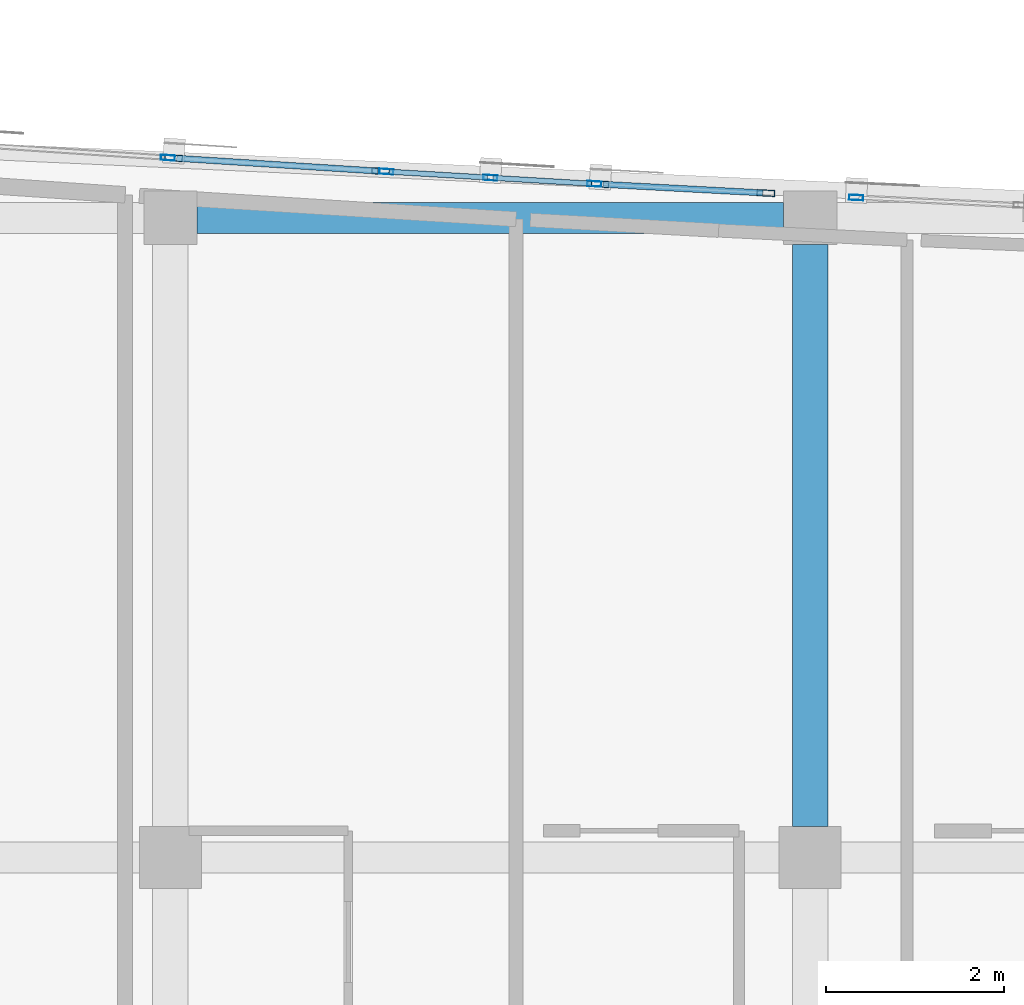
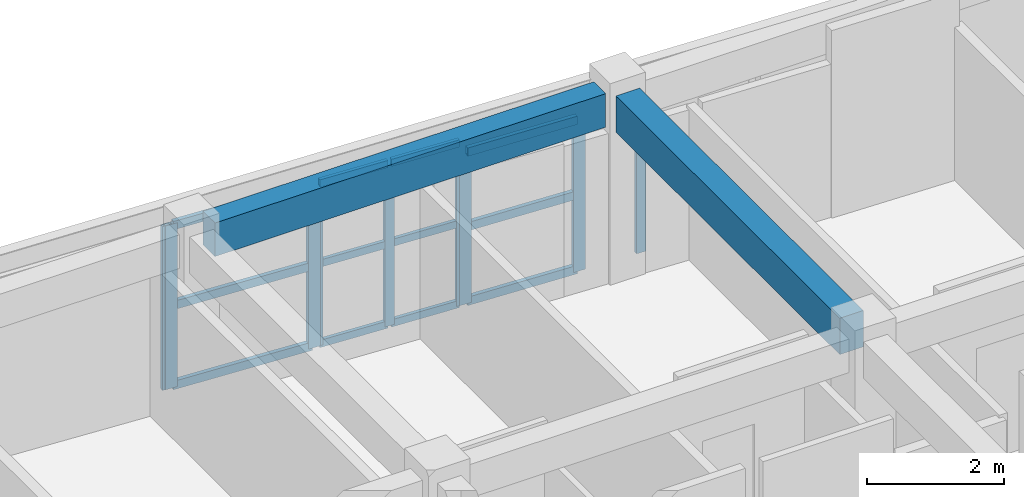
# One storey, part 28 of 48: 21 members, 2 beams, 5 elements without a shape of their own.
"""IFC4 building model written with IfcOpenShell, lengths in metres."""

from ifc_helpers import new_model, si_unit, direction, frame, origin, origin_2d, place, context, subcontext, project, spatial, rectangle, hollow_rectangle, extrude, material, layer, layer_set, material_profile, profile_set, type_object, element, aggregate, save


model = new_model("IFC4")

# Units and contexts
model_context = context("Model", 3, precision=1e-05, world=origin(), true_north=direction((0.0, 1.0)))
body_context = subcontext(model_context, "Body", "Model", "MODEL_VIEW")
ifc_project = project(units=[si_unit("LENGTHUNIT", "METRE"), si_unit("AREAUNIT", "SQUARE_METRE"), si_unit("VOLUMEUNIT", "CUBIC_METRE"), si_unit("PLANEANGLEUNIT", "RADIAN"), si_unit("MASSUNIT", "GRAM", prefix="KILO")], contexts=[model_context])

# Site, building, storey
site_placement = place(None, origin())
site = spatial("IfcSite", under=ifc_project, at=site_placement, CompositionType="ELEMENT")
building_placement = place(site_placement, origin())
building = spatial("IfcBuilding", under=site, at=building_placement, Name="Carrowvane Square Congress Hotel", CompositionType="ELEMENT")
storey_placement = place(building_placement, frame((0.0, 0.0, 26.39990234375)))
storey = spatial("IfcBuildingStorey", under=building, at=storey_placement, Name="L06", CompositionType="ELEMENT", Elevation=26.39990234375)

# Beams
ifc_material_1 = material(Name="Concrete C35/45", Category="concrete")
ifc_material_profile_1 = material_profile(ifc_material_1, rectangle(XDim=0.35009765625, YDim=0.60009765625, at=origin_2d()), Name="RC 350x600")
ifc_profile_set_1 = profile_set([ifc_material_profile_1], Name="Concrete C35/45")
beam_type_1 = type_object("IfcBeamType", Name="BM-RC-350x600", PredefinedType="BEAM", material=ifc_profile_set_1)
beam_1_placement = place(storey_placement, frame((148.699951171875, 113.39990234375, 3.050048828125), z_axis=(1.0, 0.0, 0.0), x_axis=(0.0, 1.0, 0.0)))
element("IfcBeam", 1, at=beam_1_placement, inside=storey, type_object=beam_type_1, Name="L07 girder R/20-21", PredefinedType="BEAM", context=body_context, shape_type="SweptSolid", body=[
    extrude(rectangle(XDim=0.35009765625, YDim=0.60009765625, at=origin_2d()), origin(), (0.0, 0.0, 1.0), 6.60009765625),
])
ifc_material_2 = material(Name="Concrete C35/45", Category="concrete")
ifc_material_profile_2 = material_profile(ifc_material_2, rectangle(XDim=0.39990234375, YDim=0.64990234375, at=origin_2d()), Name="RC 400x650")
ifc_profile_set_2 = profile_set([ifc_material_profile_2], Name="Concrete C35/45")
beam_type_2 = type_object("IfcBeamType", Name="BM-RC-400x650", PredefinedType="BEAM", material=ifc_profile_set_2)
beam_2_placement = place(storey_placement, frame((155.60009765625, 106.550048828125, 3.025146484375), z_axis=(0.0, 1.0, 0.0), x_axis=(-1.0, 0.0, 0.0)))
element("IfcBeam", 2, at=beam_2_placement, inside=storey, type_object=beam_type_2, Name="L07 girder 21/Q-R", PredefinedType="BEAM", context=body_context, shape_type="SweptSolid", body=[
    extrude(rectangle(XDim=0.39990234375, YDim=0.64990234375, at=origin_2d()), origin(), (0.0, 0.0, 1.0), 6.550048828125),
])

# Curtain wall, member
ifc_material_3 = material(Name="Anodised aluminium", Category="aluminium")
ifc_layer_1 = layer(ifc_material_3, 0.18603515625)
ifc_layer_set_1 = layer_set([ifc_layer_1], Name="Anodised aluminium")
curtain_wall_type_1 = type_object("IfcCurtainWallType", Name="CW-SYS-3", PredefinedType="NOTDEFINED", material=ifc_layer_set_1)
curtain_wall_1_placement = place(storey_placement, origin())
curtain_wall_1 = element("IfcCurtainWall", 3, at=curtain_wall_1_placement, inside=storey, type_object=curtain_wall_type_1, Name="L06 unitised curtain wall 402", PredefinedType="NOTDEFINED")
ifc_material_4 = material(Name="Anodised aluminium", Category="aluminium")
ifc_material_profile_3 = material_profile(ifc_material_4, hollow_rectangle(XDim=0.06005859375, YDim=0.159912109375, WallThickness=0.00390625, at=origin_2d()), Name="CW-ML 60x160x4")
ifc_profile_set_3 = profile_set([ifc_material_profile_3], Name="Anodised aluminium")
member_type_1 = type_object("IfcMemberType", Name="CW-MUL-1", PredefinedType="MULLION", material=ifc_profile_set_3)
member_1_placement = place(storey_placement, frame((148.3701171875, 114.077392578125, 0.0), z_axis=(0.0, 0.0, 1.0), x_axis=(0.06657392244, 0.997781495544, 0.0)))
member_1 = element("IfcMember", 4, at=member_1_placement, type_object=member_type_1, Name="CW-3 mullion 2", PredefinedType="MULLION", context=body_context, shape_type="SweptSolid", body=[
    extrude(hollow_rectangle(XDim=0.06005859375, YDim=0.159912109375, WallThickness=0.00390625, at=origin_2d()), origin(), (0.0, 0.0, 1.0), 2.92578125),
])
aggregate(curtain_wall_1, [member_1])

# Curtain wall, members
ifc_material_5 = material(Name="Anodised aluminium", Category="aluminium")
ifc_layer_2 = layer(ifc_material_5, 0.2099609375)
ifc_layer_set_2 = layer_set([ifc_layer_2], Name="Anodised aluminium")
curtain_wall_type_2 = type_object("IfcCurtainWallType", Name="CW-SYS-5", PredefinedType="NOTDEFINED", material=ifc_layer_set_2)
curtain_wall_2_placement = place(storey_placement, origin())
curtain_wall_2 = element("IfcCurtainWall", 5, at=curtain_wall_2_placement, inside=storey, type_object=curtain_wall_type_2, Name="L06 unitised curtain wall 404", PredefinedType="NOTDEFINED")
member_2_placement = place(storey_placement, frame((150.829833984375, 113.92138671875, 0.0), z_axis=(0.0, 0.0, 1.0), x_axis=(0.058988522254, 0.99825866099, 0.0)))
member_2 = element("IfcMember", 6, at=member_2_placement, type_object=member_type_1, Name="CW-5 mullion 1", PredefinedType="MULLION", context=body_context, shape_type="SweptSolid", body=[
    extrude(hollow_rectangle(XDim=0.06005859375, YDim=0.159912109375, WallThickness=0.00390625, at=origin_2d()), origin(), (0.0, 0.0, 1.0), 2.92578125),
])
member_3_placement = place(storey_placement, frame((152.0, 113.852294921875, 0.0), z_axis=(0.0, 0.0, 1.0), x_axis=(0.058988522254, 0.99825866099, 0.0)))
member_3 = element("IfcMember", 7, at=member_3_placement, type_object=member_type_1, Name="CW-5 mullion 2", PredefinedType="MULLION", context=body_context, shape_type="SweptSolid", body=[
    extrude(hollow_rectangle(XDim=0.06005859375, YDim=0.159912109375, WallThickness=0.00390625, at=origin_2d()), origin(), (0.0, 0.0, 1.0), 2.92578125),
])
member_4_placement = place(storey_placement, frame((153.170166015625, 113.783203125, 0.0), z_axis=(0.0, 0.0, 1.0), x_axis=(0.058988522254, 0.99825866099, 0.0)))
member_4 = element("IfcMember", 8, at=member_4_placement, type_object=member_type_1, Name="CW-5 mullion 3", PredefinedType="MULLION", context=body_context, shape_type="SweptSolid", body=[
    extrude(hollow_rectangle(XDim=0.06005859375, YDim=0.159912109375, WallThickness=0.00390625, at=origin_2d()), origin(), (0.0, 0.0, 1.0), 2.92578125),
])

# Curtain wall, member
ifc_material_6 = material(Name="Anodised aluminium", Category="aluminium")
ifc_layer_3 = layer(ifc_material_6, 0.23388671875)
ifc_layer_set_3 = layer_set([ifc_layer_3], Name="Anodised aluminium")
curtain_wall_type_3 = type_object("IfcCurtainWallType", Name="CW-SYS-7", PredefinedType="NOTDEFINED", material=ifc_layer_set_3)
curtain_wall_3_placement = place(storey_placement, origin())
curtain_wall_3 = element("IfcCurtainWall", 9, at=curtain_wall_3_placement, inside=storey, type_object=curtain_wall_type_3, Name="L06 unitised curtain wall 406", PredefinedType="NOTDEFINED")
member_5_placement = place(storey_placement, frame((156.11865234375, 113.628662109375, 0.0), z_axis=(0.0, 0.0, 1.0), x_axis=(0.046522035775, 0.998917263935, 0.0)))
member_5 = element("IfcMember", 10, at=member_5_placement, type_object=member_type_1, Name="CW-7 mullion 1", PredefinedType="MULLION", context=body_context, shape_type="SweptSolid", body=[
    extrude(hollow_rectangle(XDim=0.06005859375, YDim=0.159912109375, WallThickness=0.00390625, at=origin_2d()), origin(), (0.0, 0.0, 1.0), 2.735107421875),
])
aggregate(curtain_wall_3, [member_5])

# Curtain wall, members
ifc_material_7 = material(Name="Anodised aluminium", Category="aluminium")
ifc_layer_4 = layer(ifc_material_7, 0.197998046875)
ifc_layer_set_4 = layer_set([ifc_layer_4], Name="Anodised aluminium")
curtain_wall_type_4 = type_object("IfcCurtainWallType", Name="CW-SYS-4", PredefinedType="NOTDEFINED", material=ifc_layer_set_4)
curtain_wall_4_placement = place(storey_placement, origin())
curtain_wall_4 = element("IfcCurtainWall", 11, at=curtain_wall_4_placement, inside=storey, type_object=curtain_wall_type_4, Name="L06 unitised curtain wall 403", PredefinedType="NOTDEFINED")
ifc_material_8 = material(Name="Anodised aluminium", Category="aluminium")
ifc_material_profile_4 = material_profile(ifc_material_8, hollow_rectangle(XDim=0.070068359375, YDim=0.199951171875, WallThickness=0.0048828125, at=origin_2d()), Name="CW-ML 70x200x5")
ifc_profile_set_4 = profile_set([ifc_material_profile_4], Name="Anodised aluminium")
member_type_2 = type_object("IfcMemberType", Name="CW-MUL-2", PredefinedType="MULLION", material=ifc_profile_set_4)
member_6_placement = place(storey_placement, frame((148.434814453125, 114.0732421875, 0.0), z_axis=(0.0, 0.0, 1.0), x_axis=(0.063273487972, 0.997996225303, 0.0)))
member_6 = element("IfcMember", 12, at=member_6_placement, type_object=member_type_2, Name="CW-4 mullion 1", PredefinedType="MULLION", context=body_context, shape_type="SweptSolid", body=[
    extrude(hollow_rectangle(XDim=0.070068359375, YDim=0.199951171875, WallThickness=0.0048828125, at=origin_2d()), origin(), (0.0, 0.0, 1.0), 2.92578125),
])
member_7_placement = place(storey_placement, frame((150.76513671875, 113.92529296875, 0.0), z_axis=(0.0, 0.0, 1.0), x_axis=(0.063273487972, 0.997996225303, 0.0)))
member_7 = element("IfcMember", 13, at=member_7_placement, type_object=member_type_2, Name="CW-4 mullion 2", PredefinedType="MULLION", context=body_context, shape_type="SweptSolid", body=[
    extrude(hollow_rectangle(XDim=0.070068359375, YDim=0.199951171875, WallThickness=0.0048828125, at=origin_2d()), origin(), (0.0, 0.0, 1.0), 2.92578125),
])

ifc_material_9 = material(Name="Anodised aluminium", Category="aluminium")
ifc_layer_5 = layer(ifc_material_9, 0.221923828125)
ifc_layer_set_5 = layer_set([ifc_layer_5], Name="Anodised aluminium")
curtain_wall_type_5 = type_object("IfcCurtainWallType", Name="CW-SYS-6", PredefinedType="NOTDEFINED", material=ifc_layer_set_5)
curtain_wall_5_placement = place(storey_placement, origin())
curtain_wall_5 = element("IfcCurtainWall", 14, at=curtain_wall_5_placement, inside=storey, type_object=curtain_wall_type_5, Name="L06 unitised curtain wall 405", PredefinedType="NOTDEFINED")
member_8_placement = place(storey_placement, frame((153.23486328125, 113.779541015625, 0.0), z_axis=(0.0, 0.0, 1.0), x_axis=(0.053516203185, 0.998566981227, 0.0)))
member_8 = element("IfcMember", 15, at=member_8_placement, type_object=member_type_2, Name="CW-6 mullion 1", PredefinedType="MULLION", context=body_context, shape_type="SweptSolid", body=[
    extrude(hollow_rectangle(XDim=0.070068359375, YDim=0.199951171875, WallThickness=0.0048828125, at=origin_2d()), origin(), (0.0, 0.0, 1.0), 2.735107421875),
])
member_9_placement = place(storey_placement, frame((155.101806640625, 113.679443359375, 0.0), z_axis=(0.0, 0.0, 1.0), x_axis=(0.053516203185, 0.998566981227, 0.0)))
member_9 = element("IfcMember", 16, at=member_9_placement, type_object=member_type_2, Name="CW-6 mullion 2", PredefinedType="MULLION", context=body_context, shape_type="SweptSolid", body=[
    extrude(hollow_rectangle(XDim=0.070068359375, YDim=0.199951171875, WallThickness=0.0048828125, at=origin_2d()), origin(), (0.0, 0.0, 1.0), 2.735107421875),
])

# Member
ifc_material_10 = material(Name="Anodised aluminium", Category="aluminium")
ifc_material_profile_5 = material_profile(ifc_material_10, hollow_rectangle(XDim=0.06005859375, YDim=0.1298828125, WallThickness=0.00390625, at=origin_2d()), Name="CW-TR 60x130x4")
ifc_profile_set_5 = profile_set([ifc_material_profile_5], Name="Anodised aluminium")
member_type_3 = type_object("IfcMemberType", Name="CW-TRN-1", PredefinedType="USERDEFINED", material=ifc_profile_set_5)
member_10_placement = place(storey_placement, frame((150.85986328125, 113.919677734375, 0.030029296875), z_axis=(0.998254634076, -0.05905662999, 0.0), x_axis=(0.05905662999, 0.998254634076, 0.0)))
member_10 = element("IfcMember", 17, at=member_10_placement, type_object=member_type_3, Name="CW-5 transom 1.1", ObjectType="TRANSOM", PredefinedType="USERDEFINED", context=body_context, shape_type="SweptSolid", body=[
    extrude(hollow_rectangle(XDim=0.06005859375, YDim=0.1298828125, WallThickness=0.00390625, at=origin_2d()), origin(), (0.0, 0.0, 1.0), 1.112060546875),
])

member_11_placement = place(storey_placement, frame((150.85986328125, 113.919677734375, 1.462890625), z_axis=(0.998254634076, -0.05905662999, 0.0), x_axis=(0.05905662999, 0.998254634076, 0.0)))
member_11 = element("IfcMember", 18, at=member_11_placement, type_object=member_type_3, Name="CW-5 transom 1.2", ObjectType="TRANSOM", PredefinedType="USERDEFINED", context=body_context, shape_type="SweptSolid", body=[
    extrude(hollow_rectangle(XDim=0.06005859375, YDim=0.1298828125, WallThickness=0.00390625, at=origin_2d()), origin(), (0.0, 0.0, 1.0), 1.112060546875),
])

member_12_placement = place(storey_placement, frame((150.85986328125, 113.919677734375, 2.895751953125), z_axis=(0.998254634076, -0.05905662999, 0.0), x_axis=(0.05905662999, 0.998254634076, 0.0)))
member_12 = element("IfcMember", 19, at=member_12_placement, type_object=member_type_3, Name="CW-5 transom 1.3", ObjectType="TRANSOM", PredefinedType="USERDEFINED", context=body_context, shape_type="SweptSolid", body=[
    extrude(hollow_rectangle(XDim=0.06005859375, YDim=0.1298828125, WallThickness=0.00390625, at=origin_2d()), origin(), (0.0, 0.0, 1.0), 1.112060546875),
])

member_13_placement = place(storey_placement, frame((152.030029296875, 113.8505859375, 0.030029296875), z_axis=(0.998254634076, -0.05905662999, 0.0), x_axis=(0.05905662999, 0.998254634076, 0.0)))
member_13 = element("IfcMember", 20, at=member_13_placement, type_object=member_type_3, Name="CW-5 transom 2.1", ObjectType="TRANSOM", PredefinedType="USERDEFINED", context=body_context, shape_type="SweptSolid", body=[
    extrude(hollow_rectangle(XDim=0.06005859375, YDim=0.1298828125, WallThickness=0.00390625, at=origin_2d()), origin(), (0.0, 0.0, 1.0), 1.112060546875),
])

member_14_placement = place(storey_placement, frame((152.030029296875, 113.8505859375, 1.462890625), z_axis=(0.998254634076, -0.05905662999, 0.0), x_axis=(0.05905662999, 0.998254634076, 0.0)))
member_14 = element("IfcMember", 21, at=member_14_placement, type_object=member_type_3, Name="CW-5 transom 2.2", ObjectType="TRANSOM", PredefinedType="USERDEFINED", context=body_context, shape_type="SweptSolid", body=[
    extrude(hollow_rectangle(XDim=0.06005859375, YDim=0.1298828125, WallThickness=0.00390625, at=origin_2d()), origin(), (0.0, 0.0, 1.0), 1.112060546875),
])

member_15_placement = place(storey_placement, frame((152.030029296875, 113.8505859375, 2.895751953125), z_axis=(0.998254634076, -0.05905662999, 0.0), x_axis=(0.05905662999, 0.998254634076, 0.0)))
member_15 = element("IfcMember", 22, at=member_15_placement, type_object=member_type_3, Name="CW-5 transom 2.3", ObjectType="TRANSOM", PredefinedType="USERDEFINED", context=body_context, shape_type="SweptSolid", body=[
    extrude(hollow_rectangle(XDim=0.06005859375, YDim=0.1298828125, WallThickness=0.00390625, at=origin_2d()), origin(), (0.0, 0.0, 1.0), 1.112060546875),
])

aggregate(curtain_wall_2, [member_2, member_3, member_4, member_10, member_11, member_12, member_13, member_14, member_15])

ifc_material_11 = material(Name="Anodised aluminium", Category="aluminium")
ifc_material_profile_6 = material_profile(ifc_material_11, hollow_rectangle(XDim=0.070068359375, YDim=0.14990234375, WallThickness=0.0048828125, at=origin_2d()), Name="CW-TR 70x150x5")
ifc_profile_set_6 = profile_set([ifc_material_profile_6], Name="Anodised aluminium")
member_type_4 = type_object("IfcMemberType", Name="CW-TRN-2", PredefinedType="USERDEFINED", material=ifc_profile_set_6)
member_16_placement = place(storey_placement, frame((148.469970703125, 114.07080078125, 0.03515625), z_axis=(0.997995967248, -0.063277558088, 0.0), x_axis=(0.063277558088, 0.997995967248, 0.0)))
member_16 = element("IfcMember", 23, at=member_16_placement, type_object=member_type_4, Name="CW-4 transom 1.1", ObjectType="TRANSOM", PredefinedType="USERDEFINED", context=body_context, shape_type="SweptSolid", body=[
    extrude(hollow_rectangle(XDim=0.070068359375, YDim=0.14990234375, WallThickness=0.0048828125, at=origin_2d()), origin(), (0.0, 0.0, 1.0), 2.264892578125),
])

member_17_placement = place(storey_placement, frame((148.469970703125, 114.07080078125, 1.462890625), z_axis=(0.997995967248, -0.063277558088, 0.0), x_axis=(0.063277558088, 0.997995967248, 0.0)))
member_17 = element("IfcMember", 24, at=member_17_placement, type_object=member_type_4, Name="CW-4 transom 1.2", ObjectType="TRANSOM", PredefinedType="USERDEFINED", context=body_context, shape_type="SweptSolid", body=[
    extrude(hollow_rectangle(XDim=0.070068359375, YDim=0.14990234375, WallThickness=0.0048828125, at=origin_2d()), origin(), (0.0, 0.0, 1.0), 2.264892578125),
])

member_18_placement = place(storey_placement, frame((148.469970703125, 114.07080078125, 2.890625), z_axis=(0.997995967248, -0.063277558088, 0.0), x_axis=(0.063277558088, 0.997995967248, 0.0)))
member_18 = element("IfcMember", 25, at=member_18_placement, type_object=member_type_4, Name="CW-4 transom 1.3", ObjectType="TRANSOM", PredefinedType="USERDEFINED", context=body_context, shape_type="SweptSolid", body=[
    extrude(hollow_rectangle(XDim=0.070068359375, YDim=0.14990234375, WallThickness=0.0048828125, at=origin_2d()), origin(), (0.0, 0.0, 1.0), 2.264892578125),
])

aggregate(curtain_wall_4, [member_6, member_7, member_16, member_17, member_18])

member_19_placement = place(storey_placement, frame((153.27001953125, 113.777587890625, 0.03515625), z_axis=(0.998570202242, -0.053456067892, 0.0), x_axis=(0.053456067892, 0.998570202242, 0.0)))
member_19 = element("IfcMember", 26, at=member_19_placement, type_object=member_type_4, Name="CW-6 transom 1.1", ObjectType="TRANSOM", PredefinedType="USERDEFINED", context=body_context, shape_type="SweptSolid", body=[
    extrude(hollow_rectangle(XDim=0.070068359375, YDim=0.14990234375, WallThickness=0.0048828125, at=origin_2d()), origin(), (0.0, 0.0, 1.0), 1.799560546875),
])

member_20_placement = place(storey_placement, frame((153.27001953125, 113.777587890625, 1.36767578125), z_axis=(0.998570202242, -0.053456067892, 0.0), x_axis=(0.053456067892, 0.998570202242, 0.0)))
member_20 = element("IfcMember", 27, at=member_20_placement, type_object=member_type_4, Name="CW-6 transom 1.2", ObjectType="TRANSOM", PredefinedType="USERDEFINED", context=body_context, shape_type="SweptSolid", body=[
    extrude(hollow_rectangle(XDim=0.070068359375, YDim=0.14990234375, WallThickness=0.0048828125, at=origin_2d()), origin(), (0.0, 0.0, 1.0), 1.799560546875),
])

member_21_placement = place(storey_placement, frame((153.27001953125, 113.777587890625, 2.7001953125), z_axis=(0.998570202242, -0.053456067892, 0.0), x_axis=(0.053456067892, 0.998570202242, 0.0)))
member_21 = element("IfcMember", 28, at=member_21_placement, type_object=member_type_4, Name="CW-6 transom 1.3", ObjectType="TRANSOM", PredefinedType="USERDEFINED", context=body_context, shape_type="SweptSolid", body=[
    extrude(hollow_rectangle(XDim=0.070068359375, YDim=0.14990234375, WallThickness=0.0048828125, at=origin_2d()), origin(), (0.0, 0.0, 1.0), 1.799560546875),
])

aggregate(curtain_wall_5, [member_8, member_9, member_19, member_20, member_21])

save(model, "model.ifc")
